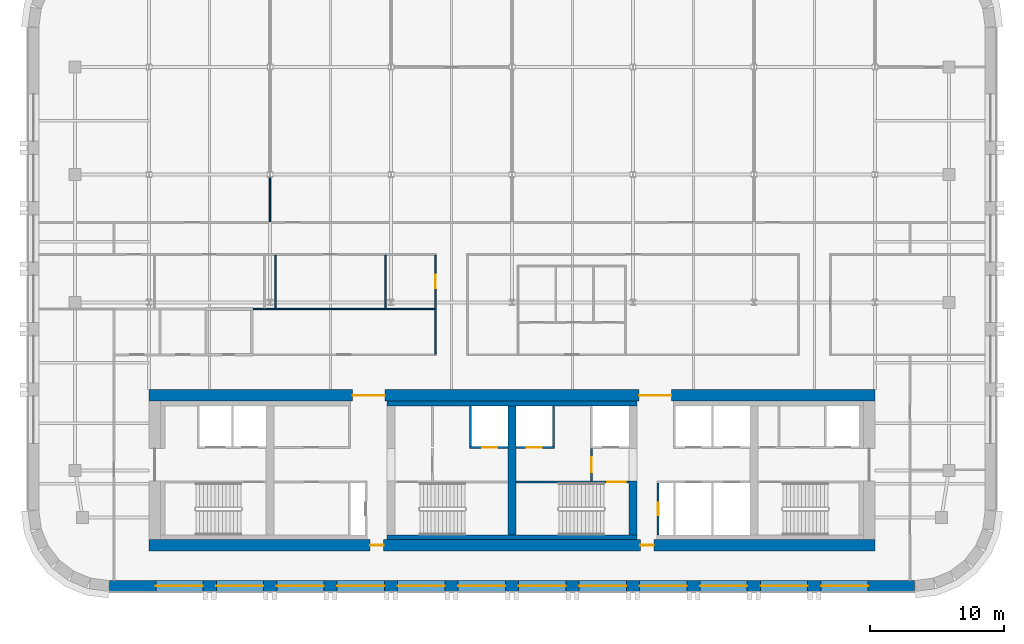
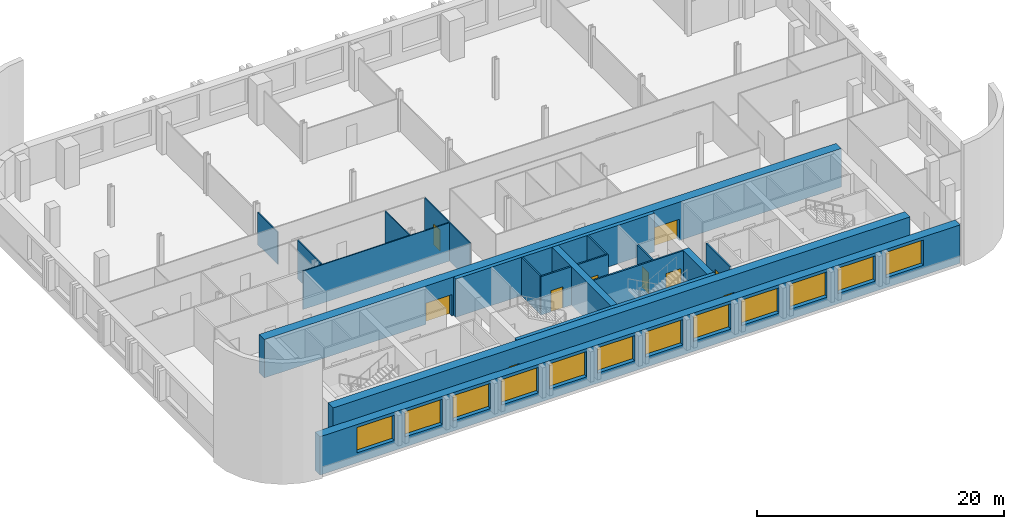
# One storey, part 4 of 9: 19 walls, 12 windows, 10 doors, 22 openings.
"""IFC4 building model written with IfcOpenShell, lengths in metres."""

from ifc_helpers import new_model, si_unit, direction, frame, frame_2d, origin, place, context, subcontext, project, spatial, rectangle, extrude, material, layer, layer_set, type_object, element, fill, save


model = new_model("IFC4")

# Units and contexts
model_context = context("Model", 3, precision=1e-05, world=origin(), true_north=direction((0.0, 1.0)))
body_context = subcontext(model_context, "Body", "Model", "MODEL_VIEW")
ifc_project = project(units=[si_unit("LENGTHUNIT", "METRE"), si_unit("AREAUNIT", "SQUARE_METRE"), si_unit("VOLUMEUNIT", "CUBIC_METRE"), si_unit("PLANEANGLEUNIT", "RADIAN"), si_unit("MASSUNIT", "GRAM", prefix="KILO")], contexts=[model_context])

# Site, building, storey
site_placement = place(None, origin())
site = spatial("IfcSite", under=ifc_project, at=site_placement, CompositionType="ELEMENT")
building_placement = place(site_placement, origin())
building = spatial("IfcBuilding", under=site, at=building_placement, Name="Zellij Exchange Tower", CompositionType="ELEMENT")
storey_placement = place(building_placement, frame((0.0, 0.0, 200.5)))
storey = spatial("IfcBuildingStorey", under=building, at=storey_placement, Name="L46", CompositionType="ELEMENT", Elevation=200.5)

# Walls
ifc_material_1 = material(Name="Concrete C60/75", Category="concrete")
ifc_layer_1 = layer(ifc_material_1, 0.60009765625)
ifc_layer_set_1 = layer_set([ifc_layer_1], Name="Concrete C60/75")
wall_type_1 = type_object("IfcWallType", Name="CORE-CW 600 C60/75", PredefinedType="SHEAR", material=ifc_layer_set_1)
wall_1_placement = place(storey_placement, frame((0.0, -12.800048828125, 0.0), z_axis=(0.0, 0.0, 1.0), x_axis=(0.0, 1.0, 0.0)))
element("IfcWall", 1, at=wall_1_placement, inside=storey, type_object=wall_type_1, Name="Core cross wall x 0 L46", PredefinedType="SHEAR", context=body_context, shape_type="SweptSolid", body=[
    extrude(rectangle(XDim=9.60009765625, YDim=0.60009765625, at=frame_2d((4.800048828125, 0.0))), origin(), (0.0, 0.0, 1.0), 3.800048828125),
])
wall_2_placement = place(storey_placement, frame((9.0, -12.800048828125, 0.0), z_axis=(0.0, 0.0, 1.0), x_axis=(0.0, 1.0, 0.0)))
element("IfcWall", 2, at=wall_2_placement, inside=storey, type_object=wall_type_1, Name="Core cross wall pier x 9 a L46", PredefinedType="SHEAR", context=body_context, shape_type="SweptSolid", body=[
    extrude(rectangle(XDim=4.0, YDim=0.60009765625, at=frame_2d((2.0, 0.0))), origin(), (0.0, 0.0, 1.0), 3.800048828125),
])
ifc_material_2 = material(Name="Concrete C30/37", Category="concrete")
ifc_layer_2 = layer(ifc_material_2, 0.35009765625)
ifc_layer_set_2 = layer_set([ifc_layer_2], Name="Concrete C30/37")
wall_type_2 = type_object("IfcWallType", Name="CORE-LW 350 C30/37", PredefinedType="SHEAR", material=ifc_layer_set_2)
for number, where, z_axis, x_axis, name in (
    (3, (-9.300048828125, -3.02490234375, 0.0), (0.0, 0.0, 1.0), (1.0, 0.0, 0.0), "Core wall lining front.1 L46"),
    (4, (-9.300048828125, -12.97509765625, 0.0), (0.0, 0.0, 1.0), (1.0, 0.0, 0.0), "Core wall lining rear.1 L46"),
):
    element("IfcWall", number, at=place(storey_placement, frame(where, z_axis=z_axis, x_axis=x_axis)), inside=storey, type_object=wall_type_2, Name=name, PredefinedType="SHEAR", context=body_context, shape_type="SweptSolid", body=[
        extrude(rectangle(XDim=18.60009765625, YDim=0.35009765625, at=frame_2d((9.300048828125, 0.0))), origin(), (0.0, 0.0, 1.0), 3.800048828125),
    ])

# Wall, opening, door
ifc_material_3 = material(Name="Gypsum shaft wall system")
ifc_layer_3 = layer(ifc_material_3, 0.14990234375)
ifc_layer_set_3 = layer_set([ifc_layer_3], Name="Gypsum shaft wall system")
wall_type_3 = type_object("IfcWallType", Name="CORE-PW 150 Firefighting lobby wall", PredefinedType="PARTITIONING", material=ifc_layer_set_3)
wall_3_placement = place(storey_placement, frame((5.925048828125, -8.800048828125, 0.0), z_axis=(0.0, 0.0, 1.0), x_axis=(0.0, 1.0, 0.0)))
wall_3 = element("IfcWall", 5, at=wall_3_placement, inside=storey, type_object=wall_type_3, Name="Firefighting lobby wall L46", PredefinedType="PARTITIONING", context=body_context, shape_type="SweptSolid", body=[
    extrude(rectangle(XDim=2.425048828125, YDim=0.14990234375, at=frame_2d((1.21240234375, 0.0))), origin(), (0.0, 0.0, 1.0), 3.800048828125),
])
opening_1_placement = place(wall_3_placement, frame((0.662109375, 0.0, 0.0)))
opening_1 = element("IfcOpeningElement", 6, at=opening_1_placement, cuts=wall_3, Name="Opening CA-24.14", PredefinedType="OPENING", context=body_context, shape_type="SweptSolid", body=[
    extrude(rectangle(XDim=1.10009765625, YDim=2.10009765625, at=frame_2d((0.550048828125, 1.050048828125))), frame((0.0, 0.0869140625, 0.0), z_axis=(0.0, -1.0, 0.0), x_axis=(1.0, 0.0, 0.0)), (0.0, 0.0, 1.0), 0.173828125),
])
ifc_material_4 = material(Name="Hollow metal fire door")
door_type_1 = type_object("IfcDoorType", Name="CORE-D F Firefighting lobby door 1100x2100 1 HR", OperationType="NOTDEFINED", PredefinedType="DOOR", material=ifc_material_4)
door_1_placement = place(opening_1_placement, origin())
door_1 = element("IfcDoor", 7, at=door_1_placement, inside=storey, type_object=door_type_1, Name="Firefighting lobby door CA-24.14", OperationType="SINGLE_SWING_RIGHT", OverallHeight=2.10009765625, OverallWidth=1.10009765625, PredefinedType="DOOR", context=body_context, shape_type="SweptSolid", body=[
    extrude(rectangle(XDim=1.10009765625, YDim=2.10009765625, at=frame_2d((0.550048828125, 1.050048828125))), frame((0.0, 0.02490234375, 0.0), z_axis=(0.0, -1.0, 0.0), x_axis=(1.0, 0.0, 0.0)), (0.0, 0.0, 1.0), 0.050048828125),
])
fill(opening_1, door_1)

ifc_material_5 = material(Name="Gypsum board partition")
ifc_layer_4 = layer(ifc_material_5, 0.14990234375)
ifc_layer_set_4 = layer_set([ifc_layer_4], Name="Gypsum board partition")
wall_type_4 = type_object("IfcWallType", Name="CORE-PW 150 Lift lobby wall", PredefinedType="PARTITIONING", material=ifc_layer_set_4)
wall_4_placement = place(storey_placement, frame((10.875, -12.800048828125, 0.0), z_axis=(0.0, 0.0, 1.0), x_axis=(0.0, 1.0, 0.0)))
wall_4 = element("IfcWall", 8, at=wall_4_placement, inside=storey, type_object=wall_type_4, Name="Lift lobby wall L46", PredefinedType="PARTITIONING", context=body_context, shape_type="SweptSolid", body=[
    extrude(rectangle(XDim=3.85009765625, YDim=0.14990234375, at=frame_2d((1.925048828125, 0.0))), origin(), (0.0, 0.0, 1.0), 3.800048828125),
])
opening_2_placement = place(wall_4_placement, frame((1.47509765625, 0.0, 0.0)))
opening_2 = element("IfcOpeningElement", 9, at=opening_2_placement, cuts=wall_4, Name="Opening CA-24.19", PredefinedType="OPENING", context=body_context, shape_type="SweptSolid", body=[
    extrude(rectangle(XDim=0.89990234375, YDim=2.10009765625, at=frame_2d((0.449951171875, 1.050048828125))), frame((0.0, 0.0869140625, 0.0), z_axis=(0.0, -1.0, 0.0), x_axis=(1.0, 0.0, 0.0)), (0.0, 0.0, 1.0), 0.173828125),
])
door_type_2 = type_object("IfcDoorType", Name="CORE-D RD Riser door 900x2100 1.5 HR", OperationType="NOTDEFINED", PredefinedType="DOOR", material=ifc_material_4)
door_2_placement = place(opening_2_placement, origin())
door_2 = element("IfcDoor", 10, at=door_2_placement, inside=storey, type_object=door_type_2, Name="Riser door CA-24.19", OperationType="SINGLE_SWING_LEFT", OverallHeight=2.10009765625, OverallWidth=0.89990234375, PredefinedType="DOOR", context=body_context, shape_type="SweptSolid", body=[
    extrude(rectangle(XDim=0.89990234375, YDim=2.10009765625, at=frame_2d((0.449951171875, 1.050048828125))), frame((0.0, 0.02490234375, 0.0), z_axis=(0.0, -1.0, 0.0), x_axis=(1.0, 0.0, 0.0)), (0.0, 0.0, 1.0), 0.050048828125),
])
fill(opening_2, door_2)

# Walls
ifc_layer_5 = layer(ifc_material_3, 0.14990234375)
ifc_layer_set_5 = layer_set([ifc_layer_5], Name="Gypsum shaft wall system")
wall_type_5 = type_object("IfcWallType", Name="CORE-PW 150 Lift shaft wall", PredefinedType="PARTITIONING", material=ifc_layer_set_5)
for number, where, z_axis, x_axis, name in (
    (11, (-3.074951171875, -6.22509765625, 0.0), (0.0, 0.0, 1.0), (0.0, 1.0, 0.0), "Lift shaft wall L46"),
    (12, (3.074951171875, -6.22509765625, 0.0), (0.0, 0.0, 1.0), (0.0, 1.0, 0.0), "Lift shaft wall L46"),
):
    element("IfcWall", number, at=place(storey_placement, frame(where, z_axis=z_axis, x_axis=x_axis)), inside=storey, type_object=wall_type_5, Name=name, PredefinedType="PARTITIONING", context=body_context, shape_type="SweptSolid", body=[
        extrude(rectangle(XDim=3.025146484375, YDim=0.14990234375, at=frame_2d((1.5126953125, 0.0))), origin(), (0.0, 0.0, 1.0), 3.800048828125),
    ])

# Wall, opening, door
wall_5_placement = place(storey_placement, frame((-3.14990234375, -6.300048828125, 0.0), z_axis=(0.0, 0.0, 1.0), x_axis=(1.0, 0.0, 0.0)))
wall_5 = element("IfcWall", 13, at=wall_5_placement, inside=storey, type_object=wall_type_5, Name="Lift shaft wall L46", PredefinedType="PARTITIONING", context=body_context, shape_type="SweptSolid", body=[
    extrude(rectangle(XDim=2.849853515625, YDim=0.14990234375, at=frame_2d((1.4248046875, 0.0))), origin(), (0.0, 0.0, 1.0), 3.800048828125),
])
opening_3_placement = place(wall_5_placement, frame((0.949951171875, 0.0, 0.0)))
opening_3 = element("IfcOpeningElement", 14, at=opening_3_placement, cuts=wall_5, Name="Opening CA-24.12", PredefinedType="OPENING", context=body_context, shape_type="SweptSolid", body=[
    extrude(rectangle(XDim=1.10009765625, YDim=2.10009765625, at=frame_2d((0.550048828125, 1.050048828125))), frame((0.0, 0.0869140625, 0.0), z_axis=(0.0, -1.0, 0.0), x_axis=(1.0, 0.0, 0.0)), (0.0, 0.0, 1.0), 0.173828125),
])
door_type_3 = type_object("IfcDoorType", Name="CORE-D LD Lift landing door 1100x2100 1.5 HR", OperationType="NOTDEFINED", PredefinedType="DOOR", material=ifc_material_4)
door_3_placement = place(opening_3_placement, origin())
door_3 = element("IfcDoor", 15, at=door_3_placement, inside=storey, type_object=door_type_3, Name="Lift landing door CA-24.12", OperationType="SLIDING_TO_RIGHT", OverallHeight=2.10009765625, OverallWidth=1.10009765625, PredefinedType="DOOR", context=body_context, shape_type="SweptSolid", body=[
    extrude(rectangle(XDim=1.10009765625, YDim=2.10009765625, at=frame_2d((0.550048828125, 1.050048828125))), frame((0.0, 0.02490234375, 0.0), z_axis=(0.0, -1.0, 0.0), x_axis=(1.0, 0.0, 0.0)), (0.0, 0.0, 1.0), 0.050048828125),
])
fill(opening_3, door_3)

wall_6_placement = place(storey_placement, frame((0.300048828125, -6.300048828125, 0.0), z_axis=(0.0, 0.0, 1.0), x_axis=(1.0, 0.0, 0.0)))
wall_6 = element("IfcWall", 16, at=wall_6_placement, inside=storey, type_object=wall_type_5, Name="Lift shaft wall L46", PredefinedType="PARTITIONING", context=body_context, shape_type="SweptSolid", body=[
    extrude(rectangle(XDim=2.849853515625, YDim=0.14990234375, at=frame_2d((1.4248046875, 0.0))), origin(), (0.0, 0.0, 1.0), 3.800048828125),
])
opening_4_placement = place(wall_6_placement, frame((0.800048828125, 0.0, 0.0)))
opening_4 = element("IfcOpeningElement", 17, at=opening_4_placement, cuts=wall_6, Name="Opening CA-24.13", PredefinedType="OPENING", context=body_context, shape_type="SweptSolid", body=[
    extrude(rectangle(XDim=1.10009765625, YDim=2.10009765625, at=frame_2d((0.550048828125, 1.050048828125))), frame((0.0, 0.0869140625, 0.0), z_axis=(0.0, -1.0, 0.0), x_axis=(1.0, 0.0, 0.0)), (0.0, 0.0, 1.0), 0.173828125),
])
door_4_placement = place(opening_4_placement, origin())
door_4 = element("IfcDoor", 18, at=door_4_placement, inside=storey, type_object=door_type_3, Name="Lift landing door CA-24.13", OperationType="SLIDING_TO_LEFT", OverallHeight=2.10009765625, OverallWidth=1.10009765625, PredefinedType="DOOR", context=body_context, shape_type="SweptSolid", body=[
    extrude(rectangle(XDim=1.10009765625, YDim=2.10009765625, at=frame_2d((0.550048828125, 1.050048828125))), frame((0.0, 0.02490234375, 0.0), z_axis=(0.0, -1.0, 0.0), x_axis=(1.0, 0.0, 0.0)), (0.0, 0.0, 1.0), 0.050048828125),
])
fill(opening_4, door_4)

# Wall, openings, doors
ifc_layer_6 = layer(ifc_material_1, 0.85009765625)
ifc_layer_set_6 = layer_set([ifc_layer_6], Name="Concrete C60/75")
wall_type_6 = type_object("IfcWallType", Name="CORE-SW 850 C60/75", PredefinedType="SHEAR", material=ifc_layer_set_6)
wall_7_placement = place(storey_placement, frame((-27.0, -2.425048828125, 0.0), z_axis=(0.0, 0.0, 1.0), x_axis=(1.0, 0.0, 0.0)))
wall_7 = element("IfcWall", 19, at=wall_7_placement, inside=storey, type_object=wall_type_6, Name="Core shear wall front L46", PredefinedType="SHEAR", context=body_context, shape_type="SweptSolid", body=[
    extrude(rectangle(XDim=54.0, YDim=0.85009765625, at=frame_2d((27.0, 0.0))), origin(), (0.0, 0.0, 1.0), 3.800048828125),
])
opening_5_placement = place(wall_7_placement, frame((15.14990234375, 0.0, 0.0)))
opening_5 = element("IfcOpeningElement", 20, at=opening_5_placement, cuts=wall_7, Name="Opening CA-24.08", PredefinedType="OPENING", context=body_context, shape_type="SweptSolid", body=[
    extrude(rectangle(XDim=2.39990234375, YDim=2.10009765625, at=frame_2d((1.199951171875, 1.050048828125))), frame((0.0, 0.43701171875, 0.0), z_axis=(0.0, -1.0, 0.0), x_axis=(1.0, 0.0, 0.0)), (0.0, 0.0, 1.0), 0.8740234375),
])
opening_6_placement = place(wall_7_placement, frame((36.449951171875, 0.0, 0.0)))
opening_6 = element("IfcOpeningElement", 21, at=opening_6_placement, cuts=wall_7, Name="Opening CA-24.18", PredefinedType="OPENING", context=body_context, shape_type="SweptSolid", body=[
    extrude(rectangle(XDim=2.39990234375, YDim=2.10009765625, at=frame_2d((1.199951171875, 1.050048828125))), frame((0.0, 0.43701171875, 0.0), z_axis=(0.0, -1.0, 0.0), x_axis=(1.0, 0.0, 0.0)), (0.0, 0.0, 1.0), 0.8740234375),
])
door_type_4 = type_object("IfcDoorType", Name="CORE-D CE Core entrance door 2400x2100 20 MIN", OperationType="NOTDEFINED", PredefinedType="DOOR", material=ifc_material_4)
door_5_placement = place(opening_5_placement, origin())
door_5 = element("IfcDoor", 22, at=door_5_placement, inside=storey, type_object=door_type_4, Name="Core entrance door CA-24.08", OperationType="DOUBLE_DOOR_SINGLE_SWING", OverallHeight=2.10009765625, OverallWidth=2.39990234375, PredefinedType="DOOR", context=body_context, shape_type="SweptSolid", body=[
    extrude(rectangle(XDim=2.39990234375, YDim=2.10009765625, at=frame_2d((1.199951171875, 1.050048828125))), frame((0.0, 0.02490234375, 0.0), z_axis=(0.0, -1.0, 0.0), x_axis=(1.0, 0.0, 0.0)), (0.0, 0.0, 1.0), 0.050048828125),
])
fill(opening_5, door_5)
door_6_placement = place(opening_6_placement, origin())
door_6 = element("IfcDoor", 23, at=door_6_placement, inside=storey, type_object=door_type_4, Name="Core entrance door CA-24.18", OperationType="DOUBLE_DOOR_SINGLE_SWING", OverallHeight=2.10009765625, OverallWidth=2.39990234375, PredefinedType="DOOR", context=body_context, shape_type="SweptSolid", body=[
    extrude(rectangle(XDim=2.39990234375, YDim=2.10009765625, at=frame_2d((1.199951171875, 1.050048828125))), frame((0.0, 0.02490234375, 0.0), z_axis=(0.0, -1.0, 0.0), x_axis=(1.0, 0.0, 0.0)), (0.0, 0.0, 1.0), 0.050048828125),
])
fill(opening_6, door_6)

wall_8_placement = place(storey_placement, frame((-27.0, -13.574951171875, 0.0), z_axis=(0.0, 0.0, 1.0), x_axis=(1.0, 0.0, 0.0)))
wall_8 = element("IfcWall", 24, at=wall_8_placement, inside=storey, type_object=wall_type_6, Name="Core shear wall rear L46", PredefinedType="SHEAR", context=body_context, shape_type="SweptSolid", body=[
    extrude(rectangle(XDim=54.0, YDim=0.85009765625, at=frame_2d((27.0, 0.0))), origin(), (0.0, 0.0, 1.0), 3.800048828125),
])
opening_7_placement = place(wall_8_placement, frame((16.449951171875, 0.0, 0.0)))
opening_7 = element("IfcOpeningElement", 25, at=opening_7_placement, cuts=wall_8, Name="Opening CA-24.09", PredefinedType="OPENING", context=body_context, shape_type="SweptSolid", body=[
    extrude(rectangle(XDim=1.0, YDim=2.10009765625, at=frame_2d((0.5, 1.050048828125))), frame((0.0, 0.43701171875, 0.0), z_axis=(0.0, -1.0, 0.0), x_axis=(1.0, 0.0, 0.0)), (0.0, 0.0, 1.0), 0.8740234375),
])
opening_8_placement = place(wall_8_placement, frame((36.550048828125, 0.0, 0.0)))
opening_8 = element("IfcOpeningElement", 26, at=opening_8_placement, cuts=wall_8, Name="Opening CA-24.17", PredefinedType="OPENING", context=body_context, shape_type="SweptSolid", body=[
    extrude(rectangle(XDim=1.0, YDim=2.10009765625, at=frame_2d((0.5, 1.050048828125))), frame((0.0, 0.43701171875, 0.0), z_axis=(0.0, -1.0, 0.0), x_axis=(1.0, 0.0, 0.0)), (0.0, 0.0, 1.0), 0.8740234375),
])
door_type_5 = type_object("IfcDoorType", Name="CORE-D CR Core rear door 1000x2100 20 MIN", OperationType="NOTDEFINED", PredefinedType="DOOR", material=ifc_material_4)
door_7_placement = place(opening_7_placement, origin())
door_7 = element("IfcDoor", 27, at=door_7_placement, inside=storey, type_object=door_type_5, Name="Core rear door CA-24.09", OperationType="SINGLE_SWING_RIGHT", OverallHeight=2.10009765625, OverallWidth=1.0, PredefinedType="DOOR", context=body_context, shape_type="SweptSolid", body=[
    extrude(rectangle(XDim=1.0, YDim=2.10009765625, at=frame_2d((0.5, 1.050048828125))), frame((0.0, 0.02490234375, 0.0), z_axis=(0.0, -1.0, 0.0), x_axis=(1.0, 0.0, 0.0)), (0.0, 0.0, 1.0), 0.050048828125),
])
fill(opening_7, door_7)
door_8_placement = place(opening_8_placement, origin())
door_8 = element("IfcDoor", 28, at=door_8_placement, inside=storey, type_object=door_type_5, Name="Core rear door CA-24.17", OperationType="SINGLE_SWING_LEFT", OverallHeight=2.10009765625, OverallWidth=1.0, PredefinedType="DOOR", context=body_context, shape_type="SweptSolid", body=[
    extrude(rectangle(XDim=1.0, YDim=2.10009765625, at=frame_2d((0.5, 1.050048828125))), frame((0.0, 0.02490234375, 0.0), z_axis=(0.0, -1.0, 0.0), x_axis=(1.0, 0.0, 0.0)), (0.0, 0.0, 1.0), 0.050048828125),
])
fill(opening_8, door_8)

# Wall, opening, door
ifc_layer_7 = layer(ifc_material_1, 0.14990234375)
ifc_layer_set_7 = layer_set([ifc_layer_7], Name="Concrete C60/75")
wall_type_7 = type_object("IfcWallType", Name="CORE-SWS 150 C60/75", PredefinedType="SHEAR", material=ifc_layer_set_7)
wall_9_placement = place(storey_placement, frame((0.300048828125, -8.875, 0.0), z_axis=(0.0, 0.0, 1.0), x_axis=(1.0, 0.0, 0.0)))
wall_9 = element("IfcWall", 29, at=wall_9_placement, inside=storey, type_object=wall_type_7, Name="Stair enclosure wall L46", PredefinedType="SHEAR", context=body_context, shape_type="SweptSolid", body=[
    extrude(rectangle(XDim=8.39990234375, YDim=0.14990234375, at=frame_2d((4.199951171875, 0.0))), origin(), (0.0, 0.0, 1.0), 3.800048828125),
])
opening_9_placement = place(wall_9_placement, frame((6.77490234375, 0.0, 0.0)))
opening_9 = element("IfcOpeningElement", 30, at=opening_9_placement, cuts=wall_9, Name="Opening CA-24.16", PredefinedType="OPENING", context=body_context, shape_type="SweptSolid", body=[
    extrude(rectangle(XDim=1.39990234375, YDim=2.10009765625, at=frame_2d((0.699951171875, 1.050048828125))), frame((0.0, 0.0869140625, 0.0), z_axis=(0.0, -1.0, 0.0), x_axis=(1.0, 0.0, 0.0)), (0.0, 0.0, 1.0), 0.173828125),
])
door_type_6 = type_object("IfcDoorType", Name="CORE-D SD Stair door 1400x2100 1.5 HR", OperationType="NOTDEFINED", PredefinedType="DOOR", material=ifc_material_4)
door_9_placement = place(opening_9_placement, origin())
door_9 = element("IfcDoor", 31, at=door_9_placement, inside=storey, type_object=door_type_6, Name="Stair door CA-24.16", OperationType="DOUBLE_DOOR_SINGLE_SWING", OverallHeight=2.10009765625, OverallWidth=1.39990234375, PredefinedType="DOOR", context=body_context, shape_type="SweptSolid", body=[
    extrude(rectangle(XDim=1.39990234375, YDim=2.10009765625, at=frame_2d((0.699951171875, 1.050048828125))), frame((0.0, 0.02490234375, 0.0), z_axis=(0.0, -1.0, 0.0), x_axis=(1.0, 0.0, 0.0)), (0.0, 0.0, 1.0), 0.050048828125),
])
fill(opening_9, door_9)

# Wall, openings, windows
ifc_material_6 = material(Name="Precast concrete C40/50", Category="concrete")
ifc_layer_8 = layer(ifc_material_6, 0.800048828125)
ifc_layer_set_8 = layer_set([ifc_layer_8], Name="Precast concrete C40/50")
wall_type_8 = type_object("IfcWallType", Name="ENV-EW1 Precast stone-piered wall 800", PredefinedType="SOLIDWALL", material=ifc_layer_set_8)
wall_10_placement = place(storey_placement, frame((-29.947509765625, -16.60009765625, 0.0), z_axis=(0.0, 0.0, 1.0), x_axis=(1.0, 0.0, 0.0)))
wall_10 = element("IfcWall", 32, at=wall_10_placement, inside=storey, type_object=wall_type_8, Name="fac.L46.00", PredefinedType="SOLIDWALL", context=body_context, shape_type="SweptSolid", body=[
    extrude(rectangle(XDim=59.89501953125, YDim=0.800048828125, at=frame_2d((29.947509765625, 0.0))), origin(), (0.0, 0.0, 1.0), 3.800048828125),
])
opening_10_placement = place(wall_10_placement, frame((3.447509765625, 0.0, 1.0)))
opening_10 = element("IfcOpeningElement", 33, at=opening_10_placement, cuts=wall_10, Name="Opening FZ3.01", PredefinedType="OPENING", context=body_context, shape_type="SweptSolid", body=[
    extrude(rectangle(XDim=3.5, YDim=2.5, at=frame_2d((1.75, 1.25))), frame((0.0, 0.412109375, 0.0), z_axis=(0.0, -1.0, 0.0), x_axis=(1.0, 0.0, 0.0)), (0.0, 0.0, 1.0), 0.823974609375),
])
opening_11_placement = place(wall_10_placement, frame((7.947509765625, 0.0, 1.0)))
opening_11 = element("IfcOpeningElement", 34, at=opening_11_placement, cuts=wall_10, Name="Opening FZ3.02", PredefinedType="OPENING", context=body_context, shape_type="SweptSolid", body=[
    extrude(rectangle(XDim=3.5, YDim=2.5, at=frame_2d((1.75, 1.25))), frame((0.0, 0.412109375, 0.0), z_axis=(0.0, -1.0, 0.0), x_axis=(1.0, 0.0, 0.0)), (0.0, 0.0, 1.0), 0.823974609375),
])
opening_12_placement = place(wall_10_placement, frame((12.447509765625, 0.0, 1.0)))
opening_12 = element("IfcOpeningElement", 35, at=opening_12_placement, cuts=wall_10, Name="Opening FZ3.03", PredefinedType="OPENING", context=body_context, shape_type="SweptSolid", body=[
    extrude(rectangle(XDim=3.5, YDim=2.5, at=frame_2d((1.75, 1.25))), frame((0.0, 0.412109375, 0.0), z_axis=(0.0, -1.0, 0.0), x_axis=(1.0, 0.0, 0.0)), (0.0, 0.0, 1.0), 0.823974609375),
])
opening_13_placement = place(wall_10_placement, frame((16.947509765625, 0.0, 1.0)))
opening_13 = element("IfcOpeningElement", 36, at=opening_13_placement, cuts=wall_10, Name="Opening FZ3.04", PredefinedType="OPENING", context=body_context, shape_type="SweptSolid", body=[
    extrude(rectangle(XDim=3.5, YDim=2.5, at=frame_2d((1.75, 1.25))), frame((0.0, 0.412109375, 0.0), z_axis=(0.0, -1.0, 0.0), x_axis=(1.0, 0.0, 0.0)), (0.0, 0.0, 1.0), 0.823974609375),
])
opening_14_placement = place(wall_10_placement, frame((21.447509765625, 0.0, 1.0)))
opening_14 = element("IfcOpeningElement", 37, at=opening_14_placement, cuts=wall_10, Name="Opening FZ3.05", PredefinedType="OPENING", context=body_context, shape_type="SweptSolid", body=[
    extrude(rectangle(XDim=3.5, YDim=2.5, at=frame_2d((1.75, 1.25))), frame((0.0, 0.412109375, 0.0), z_axis=(0.0, -1.0, 0.0), x_axis=(1.0, 0.0, 0.0)), (0.0, 0.0, 1.0), 0.823974609375),
])
opening_15_placement = place(wall_10_placement, frame((25.947509765625, 0.0, 1.0)))
opening_15 = element("IfcOpeningElement", 38, at=opening_15_placement, cuts=wall_10, Name="Opening FZ3.06", PredefinedType="OPENING", context=body_context, shape_type="SweptSolid", body=[
    extrude(rectangle(XDim=3.5, YDim=2.5, at=frame_2d((1.75, 1.25))), frame((0.0, 0.412109375, 0.0), z_axis=(0.0, -1.0, 0.0), x_axis=(1.0, 0.0, 0.0)), (0.0, 0.0, 1.0), 0.823974609375),
])
opening_16_placement = place(wall_10_placement, frame((30.447509765625, 0.0, 1.0)))
opening_16 = element("IfcOpeningElement", 39, at=opening_16_placement, cuts=wall_10, Name="Opening FZ3.07", PredefinedType="OPENING", context=body_context, shape_type="SweptSolid", body=[
    extrude(rectangle(XDim=3.5, YDim=2.5, at=frame_2d((1.75, 1.25))), frame((0.0, 0.412109375, 0.0), z_axis=(0.0, -1.0, 0.0), x_axis=(1.0, 0.0, 0.0)), (0.0, 0.0, 1.0), 0.823974609375),
])
opening_17_placement = place(wall_10_placement, frame((34.947509765625, 0.0, 1.0)))
opening_17 = element("IfcOpeningElement", 40, at=opening_17_placement, cuts=wall_10, Name="Opening FZ3.08", PredefinedType="OPENING", context=body_context, shape_type="SweptSolid", body=[
    extrude(rectangle(XDim=3.5, YDim=2.5, at=frame_2d((1.75, 1.25))), frame((0.0, 0.412109375, 0.0), z_axis=(0.0, -1.0, 0.0), x_axis=(1.0, 0.0, 0.0)), (0.0, 0.0, 1.0), 0.823974609375),
])
opening_18_placement = place(wall_10_placement, frame((39.447509765625, 0.0, 1.0)))
opening_18 = element("IfcOpeningElement", 41, at=opening_18_placement, cuts=wall_10, Name="Opening FZ3.09", PredefinedType="OPENING", context=body_context, shape_type="SweptSolid", body=[
    extrude(rectangle(XDim=3.5, YDim=2.5, at=frame_2d((1.75, 1.25))), frame((0.0, 0.412109375, 0.0), z_axis=(0.0, -1.0, 0.0), x_axis=(1.0, 0.0, 0.0)), (0.0, 0.0, 1.0), 0.823974609375),
])
opening_19_placement = place(wall_10_placement, frame((43.947509765625, 0.0, 1.0)))
opening_19 = element("IfcOpeningElement", 42, at=opening_19_placement, cuts=wall_10, Name="Opening FZ3.10", PredefinedType="OPENING", context=body_context, shape_type="SweptSolid", body=[
    extrude(rectangle(XDim=3.5, YDim=2.5, at=frame_2d((1.75, 1.25))), frame((0.0, 0.412109375, 0.0), z_axis=(0.0, -1.0, 0.0), x_axis=(1.0, 0.0, 0.0)), (0.0, 0.0, 1.0), 0.823974609375),
])
opening_20_placement = place(wall_10_placement, frame((48.447509765625, 0.0, 1.0)))
opening_20 = element("IfcOpeningElement", 43, at=opening_20_placement, cuts=wall_10, Name="Opening FZ3.11", PredefinedType="OPENING", context=body_context, shape_type="SweptSolid", body=[
    extrude(rectangle(XDim=3.5, YDim=2.5, at=frame_2d((1.75, 1.25))), frame((0.0, 0.412109375, 0.0), z_axis=(0.0, -1.0, 0.0), x_axis=(1.0, 0.0, 0.0)), (0.0, 0.0, 1.0), 0.823974609375),
])
opening_21_placement = place(wall_10_placement, frame((52.947509765625, 0.0, 1.0)))
opening_21 = element("IfcOpeningElement", 44, at=opening_21_placement, cuts=wall_10, Name="Opening FZ3.12", PredefinedType="OPENING", context=body_context, shape_type="SweptSolid", body=[
    extrude(rectangle(XDim=3.5, YDim=2.5, at=frame_2d((1.75, 1.25))), frame((0.0, 0.412109375, 0.0), z_axis=(0.0, -1.0, 0.0), x_axis=(1.0, 0.0, 0.0)), (0.0, 0.0, 1.0), 0.823974609375),
])
ifc_material_7 = material(Name="Aluminium frame with insulating glass", Category="aluminium")
window_type = type_object("IfcWindowType", Name="ENV-W1 Window 3500x2500", PartitioningType="SINGLE_PANEL", PredefinedType="WINDOW", material=ifc_material_7)
window_1_placement = place(opening_10_placement, origin())
window_1 = element("IfcWindow", 45, at=window_1_placement, inside=storey, type_object=window_type, Name="Window FZ3.01", OverallHeight=2.5, OverallWidth=3.5, PartitioningType="SINGLE_PANEL", PredefinedType="WINDOW", context=body_context, shape_type="SweptSolid", body=[
    extrude(rectangle(XDim=3.5, YDim=2.5, at=frame_2d((1.75, 1.25))), frame((0.0, 0.030029296875, 0.0), z_axis=(0.0, -1.0, 0.0), x_axis=(1.0, 0.0, 0.0)), (0.0, 0.0, 1.0), 0.06005859375),
])
fill(opening_10, window_1)
window_2_placement = place(opening_11_placement, origin())
window_2 = element("IfcWindow", 46, at=window_2_placement, inside=storey, type_object=window_type, Name="Window FZ3.02", OverallHeight=2.5, OverallWidth=3.5, PartitioningType="SINGLE_PANEL", PredefinedType="WINDOW", context=body_context, shape_type="SweptSolid", body=[
    extrude(rectangle(XDim=3.5, YDim=2.5, at=frame_2d((1.75, 1.25))), frame((0.0, 0.030029296875, 0.0), z_axis=(0.0, -1.0, 0.0), x_axis=(1.0, 0.0, 0.0)), (0.0, 0.0, 1.0), 0.06005859375),
])
fill(opening_11, window_2)
window_3_placement = place(opening_12_placement, origin())
window_3 = element("IfcWindow", 47, at=window_3_placement, inside=storey, type_object=window_type, Name="Window FZ3.03", OverallHeight=2.5, OverallWidth=3.5, PartitioningType="SINGLE_PANEL", PredefinedType="WINDOW", context=body_context, shape_type="SweptSolid", body=[
    extrude(rectangle(XDim=3.5, YDim=2.5, at=frame_2d((1.75, 1.25))), frame((0.0, 0.030029296875, 0.0), z_axis=(0.0, -1.0, 0.0), x_axis=(1.0, 0.0, 0.0)), (0.0, 0.0, 1.0), 0.06005859375),
])
fill(opening_12, window_3)
window_4_placement = place(opening_13_placement, origin())
window_4 = element("IfcWindow", 48, at=window_4_placement, inside=storey, type_object=window_type, Name="Window FZ3.04", OverallHeight=2.5, OverallWidth=3.5, PartitioningType="SINGLE_PANEL", PredefinedType="WINDOW", context=body_context, shape_type="SweptSolid", body=[
    extrude(rectangle(XDim=3.5, YDim=2.5, at=frame_2d((1.75, 1.25))), frame((0.0, 0.030029296875, 0.0), z_axis=(0.0, -1.0, 0.0), x_axis=(1.0, 0.0, 0.0)), (0.0, 0.0, 1.0), 0.06005859375),
])
fill(opening_13, window_4)
window_5_placement = place(opening_14_placement, origin())
window_5 = element("IfcWindow", 49, at=window_5_placement, inside=storey, type_object=window_type, Name="Window FZ3.05", OverallHeight=2.5, OverallWidth=3.5, PartitioningType="SINGLE_PANEL", PredefinedType="WINDOW", context=body_context, shape_type="SweptSolid", body=[
    extrude(rectangle(XDim=3.5, YDim=2.5, at=frame_2d((1.75, 1.25))), frame((0.0, 0.030029296875, 0.0), z_axis=(0.0, -1.0, 0.0), x_axis=(1.0, 0.0, 0.0)), (0.0, 0.0, 1.0), 0.06005859375),
])
fill(opening_14, window_5)
window_6_placement = place(opening_15_placement, origin())
window_6 = element("IfcWindow", 50, at=window_6_placement, inside=storey, type_object=window_type, Name="Window FZ3.06", OverallHeight=2.5, OverallWidth=3.5, PartitioningType="SINGLE_PANEL", PredefinedType="WINDOW", context=body_context, shape_type="SweptSolid", body=[
    extrude(rectangle(XDim=3.5, YDim=2.5, at=frame_2d((1.75, 1.25))), frame((0.0, 0.030029296875, 0.0), z_axis=(0.0, -1.0, 0.0), x_axis=(1.0, 0.0, 0.0)), (0.0, 0.0, 1.0), 0.06005859375),
])
fill(opening_15, window_6)
window_7_placement = place(opening_16_placement, origin())
window_7 = element("IfcWindow", 51, at=window_7_placement, inside=storey, type_object=window_type, Name="Window FZ3.07", OverallHeight=2.5, OverallWidth=3.5, PartitioningType="SINGLE_PANEL", PredefinedType="WINDOW", context=body_context, shape_type="SweptSolid", body=[
    extrude(rectangle(XDim=3.5, YDim=2.5, at=frame_2d((1.75, 1.25))), frame((0.0, 0.030029296875, 0.0), z_axis=(0.0, -1.0, 0.0), x_axis=(1.0, 0.0, 0.0)), (0.0, 0.0, 1.0), 0.06005859375),
])
fill(opening_16, window_7)
window_8_placement = place(opening_17_placement, origin())
window_8 = element("IfcWindow", 52, at=window_8_placement, inside=storey, type_object=window_type, Name="Window FZ3.08", OverallHeight=2.5, OverallWidth=3.5, PartitioningType="SINGLE_PANEL", PredefinedType="WINDOW", context=body_context, shape_type="SweptSolid", body=[
    extrude(rectangle(XDim=3.5, YDim=2.5, at=frame_2d((1.75, 1.25))), frame((0.0, 0.030029296875, 0.0), z_axis=(0.0, -1.0, 0.0), x_axis=(1.0, 0.0, 0.0)), (0.0, 0.0, 1.0), 0.06005859375),
])
fill(opening_17, window_8)
window_9_placement = place(opening_18_placement, origin())
window_9 = element("IfcWindow", 53, at=window_9_placement, inside=storey, type_object=window_type, Name="Window FZ3.09", OverallHeight=2.5, OverallWidth=3.5, PartitioningType="SINGLE_PANEL", PredefinedType="WINDOW", context=body_context, shape_type="SweptSolid", body=[
    extrude(rectangle(XDim=3.5, YDim=2.5, at=frame_2d((1.75, 1.25))), frame((0.0, 0.030029296875, 0.0), z_axis=(0.0, -1.0, 0.0), x_axis=(1.0, 0.0, 0.0)), (0.0, 0.0, 1.0), 0.06005859375),
])
fill(opening_18, window_9)
window_10_placement = place(opening_19_placement, origin())
window_10 = element("IfcWindow", 54, at=window_10_placement, inside=storey, type_object=window_type, Name="Window FZ3.10", OverallHeight=2.5, OverallWidth=3.5, PartitioningType="SINGLE_PANEL", PredefinedType="WINDOW", context=body_context, shape_type="SweptSolid", body=[
    extrude(rectangle(XDim=3.5, YDim=2.5, at=frame_2d((1.75, 1.25))), frame((0.0, 0.030029296875, 0.0), z_axis=(0.0, -1.0, 0.0), x_axis=(1.0, 0.0, 0.0)), (0.0, 0.0, 1.0), 0.06005859375),
])
fill(opening_19, window_10)
window_11_placement = place(opening_20_placement, origin())
window_11 = element("IfcWindow", 55, at=window_11_placement, inside=storey, type_object=window_type, Name="Window FZ3.11", OverallHeight=2.5, OverallWidth=3.5, PartitioningType="SINGLE_PANEL", PredefinedType="WINDOW", context=body_context, shape_type="SweptSolid", body=[
    extrude(rectangle(XDim=3.5, YDim=2.5, at=frame_2d((1.75, 1.25))), frame((0.0, 0.030029296875, 0.0), z_axis=(0.0, -1.0, 0.0), x_axis=(1.0, 0.0, 0.0)), (0.0, 0.0, 1.0), 0.06005859375),
])
fill(opening_20, window_11)
window_12_placement = place(opening_21_placement, origin())
window_12 = element("IfcWindow", 56, at=window_12_placement, inside=storey, type_object=window_type, Name="Window FZ3.12", OverallHeight=2.5, OverallWidth=3.5, PartitioningType="SINGLE_PANEL", PredefinedType="WINDOW", context=body_context, shape_type="SweptSolid", body=[
    extrude(rectangle(XDim=3.5, YDim=2.5, at=frame_2d((1.75, 1.25))), frame((0.0, 0.030029296875, 0.0), z_axis=(0.0, -1.0, 0.0), x_axis=(1.0, 0.0, 0.0)), (0.0, 0.0, 1.0), 0.06005859375),
])
fill(opening_21, window_12)

# Wall, opening, door
ifc_material_8 = material(Name="Gypsum board partition on steel studs", Category="steel")
ifc_layer_9 = layer(ifc_material_8, 0.10009765625)
ifc_layer_set_9 = layer_set([ifc_layer_9], Name="Gypsum board partition on steel studs")
wall_type_9 = type_object("IfcWallType", Name="FIT-PARTITION-100", PredefinedType="PARTITIONING", material=ifc_layer_set_9)
wall_11_placement = place(storey_placement, frame((-5.699951171875, 0.64990234375, 0.0), z_axis=(0.0, 0.0, 1.0), x_axis=(0.0, 1.0, 0.0)))
wall_11 = element("IfcWall", 57, at=wall_11_placement, inside=storey, type_object=wall_type_9, Name="FIT-PARTITION-100 012", PredefinedType="PARTITIONING", context=body_context, shape_type="SweptSolid", body=[
    extrude(rectangle(XDim=7.35009765625, YDim=0.10009765625, at=frame_2d((3.675048828125, 0.0))), origin(), (0.0, 0.0, 1.0), 3.800048828125),
])
opening_22_placement = place(wall_11_placement, frame((4.89990234375, 0.0, 0.0)))
opening_22 = element("IfcOpeningElement", 58, at=opening_22_placement, cuts=wall_11, Name="Opening O3D.13", PredefinedType="OPENING", context=body_context, shape_type="SweptSolid", body=[
    extrude(rectangle(XDim=1.0, YDim=2.10009765625, at=frame_2d((0.5, 1.050048828125))), frame((0.0, 0.06201171875, 0.0), z_axis=(0.0, -1.0, 0.0), x_axis=(1.0, 0.0, 0.0)), (0.0, 0.0, 1.0), 0.1240234375),
])
ifc_material_9 = material(Name="Timber door set", Category="wood")
door_type_7 = type_object("IfcDoorType", Name="FIT-D2-WIDE-1000X2100", OperationType="SINGLE_SWING_LEFT", PredefinedType="DOOR", material=ifc_material_9)
door_10_placement = place(opening_22_placement, origin())
door_10 = element("IfcDoor", 59, at=door_10_placement, inside=storey, type_object=door_type_7, Name="Door O3D.13", OperationType="SINGLE_SWING_LEFT", OverallHeight=2.10009765625, OverallWidth=1.0, PredefinedType="DOOR", context=body_context, shape_type="SweptSolid", body=[
    extrude(rectangle(XDim=1.0, YDim=2.10009765625, at=frame_2d((0.5, 1.050048828125))), frame((0.0, 0.02490234375, 0.0), z_axis=(0.0, -1.0, 0.0), x_axis=(1.0, 0.0, 0.0)), (0.0, 0.0, 1.0), 0.050048828125),
])
fill(opening_22, door_10)

# Walls
wall_12_placement = place(storey_placement, frame((-19.4599609375, 4.0, 0.0), z_axis=(0.0, 0.0, 1.0), x_axis=(1.0, 0.0, 0.0)))
element("IfcWall", 60, at=wall_12_placement, inside=storey, type_object=wall_type_9, Name="FIT-PARTITION-100 027", PredefinedType="PARTITIONING", context=body_context, shape_type="SweptSolid", body=[
    extrude(rectangle(XDim=13.7099609375, YDim=0.10009765625, at=frame_2d((6.85498046875, 0.0))), origin(), (0.0, 0.0, 1.0), 3.800048828125),
])
for number, where, z_axis, x_axis, name in (
    (61, (-17.60009765625, 4.050048828125, 0.0), (0.0, 0.0, 1.0), (0.0, 1.0, 0.0), "FIT-PARTITION-100 029"),
    (62, (-9.39990234375, 4.050048828125, 0.0), (0.0, 0.0, 1.0), (0.0, 1.0, 0.0), "FIT-PARTITION-100 030"),
):
    element("IfcWall", number, at=place(storey_placement, frame(where, z_axis=z_axis, x_axis=x_axis)), inside=storey, type_object=wall_type_9, Name=name, PredefinedType="PARTITIONING", context=body_context, shape_type="SweptSolid", body=[
        extrude(rectangle(XDim=3.949951171875, YDim=0.10009765625, at=frame_2d((1.97509765625, 0.0))), origin(), (0.0, 0.0, 1.0), 3.800048828125),
    ])
wall_13_placement = place(storey_placement, frame((-18.0, 10.5, 0.0), z_axis=(0.0, 0.0, 1.0), x_axis=(0.0, 1.0, 0.0)))
element("IfcWall", 63, at=wall_13_placement, inside=storey, type_object=wall_type_9, Name="FIT-PARTITION-100 038", PredefinedType="PARTITIONING", context=body_context, shape_type="SweptSolid", body=[
    extrude(rectangle(XDim=3.287841796875, YDim=0.10009765625, at=frame_2d((1.64404296875, 0.0))), origin(), (0.0, 0.0, 1.0), 3.19287109375),
])

save(model, "model.ifc")
